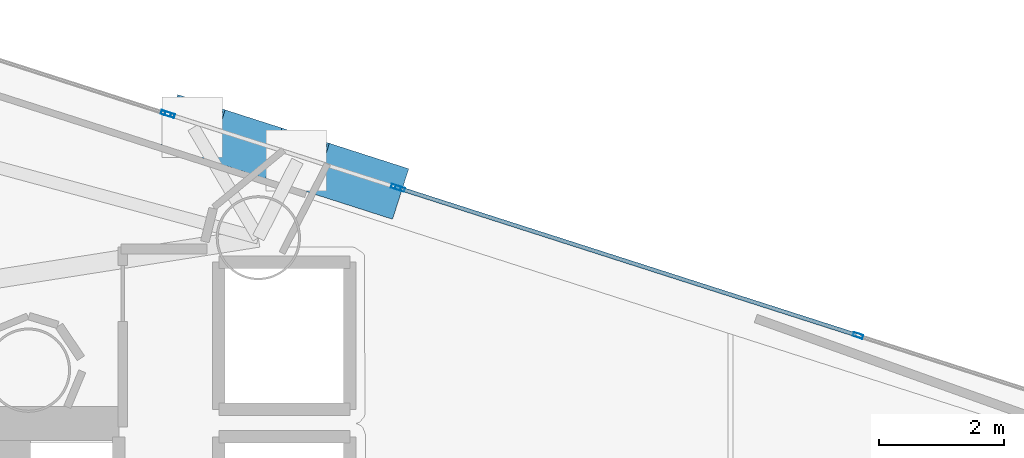
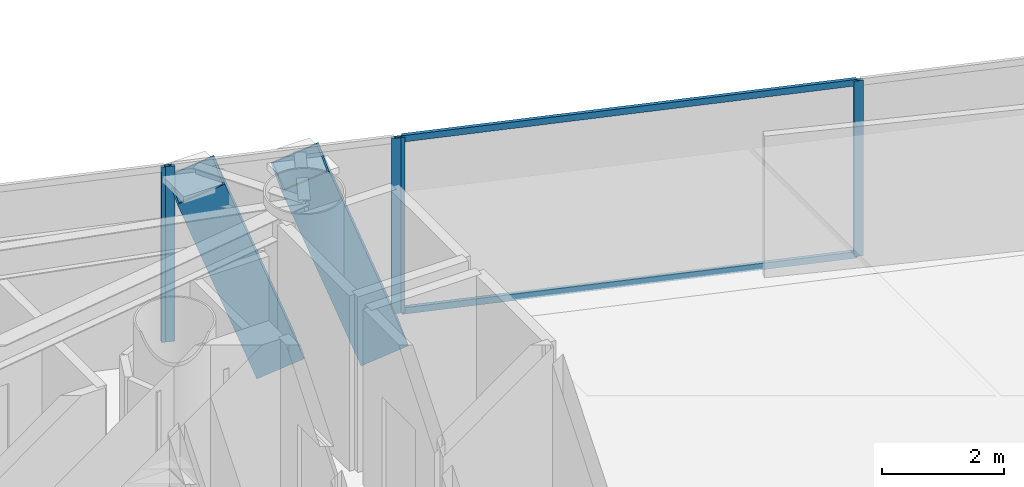
# One storey, part 14 of 22: 9 members, 3 elements without a shape of their own.
"""IFC4 building model written with IfcOpenShell, lengths in metres."""

from ifc_helpers import new_model, si_unit, direction, frame, origin, origin_2d, place, context, subcontext, project, spatial, hollow_rectangle, extrude, material, layer, layer_set, material_profile, profile_set, type_object, element, aggregate, save


model = new_model("IFC4")

# Units and contexts
model_context = context("Model", 3, precision=1e-05, world=origin(), true_north=direction((0.0, 1.0)))
body_context = subcontext(model_context, "Body", "Model", "MODEL_VIEW")
ifc_project = project(units=[si_unit("LENGTHUNIT", "METRE"), si_unit("AREAUNIT", "SQUARE_METRE"), si_unit("VOLUMEUNIT", "CUBIC_METRE"), si_unit("PLANEANGLEUNIT", "RADIAN"), si_unit("MASSUNIT", "GRAM", prefix="KILO")], contexts=[model_context])

# Site, building, storey
site_placement = place(None, origin())
site = spatial("IfcSite", under=ifc_project, at=site_placement, CompositionType="ELEMENT")
building_placement = place(site_placement, origin())
building = spatial("IfcBuilding", under=site, at=building_placement, Name="Qianvela Tower", CompositionType="ELEMENT")
storey_placement = place(building_placement, frame((0.0, 0.0, 173.5)))
storey = spatial("IfcBuildingStorey", under=building, at=storey_placement, Name="L44", CompositionType="ELEMENT", Elevation=173.5)

# Curtain wall, members
ifc_material_1 = material(Name="Anodised Architectural Aluminium and Insulated Spandrel Panel", Category="aluminium")
ifc_layer_1 = layer(ifc_material_1, 0.179931640625)
ifc_layer_set_1 = layer_set([ifc_layer_1], Name="Anodised Architectural Aluminium and Insulated Spandrel Panel")
curtain_wall_type_1 = type_object("IfcCurtainWallType", Name="CW-BRACEBAY", PredefinedType="USERDEFINED", material=ifc_layer_set_1)
curtain_wall_1_placement = place(storey_placement, origin())
curtain_wall_1 = element("IfcCurtainWall", 1, at=curtain_wall_1_placement, inside=storey, type_object=curtain_wall_type_1, Name="L44 CW-BRACEBAY Curtain Wall 02B", ObjectType="CURTAIN_WALL_SYSTEM", PredefinedType="USERDEFINED")
ifc_material_2 = material(Name="Anodised Architectural Aluminium 6063-T6", Category="aluminium")
ifc_material_profile_1 = material_profile(ifc_material_2, hollow_rectangle(XDim=0.06494140625, YDim=0.159912109375, WallThickness=0.0048828125, at=origin_2d()), Name="ALU-MULL-65x160")
ifc_profile_set_1 = profile_set([ifc_material_profile_1], Name="Anodised Architectural Aluminium 6063-T6")
member_type_1 = type_object("IfcMemberType", Name="CW-BRACEBAY-MULL", PredefinedType="MULLION", material=ifc_profile_set_1)
member_1_placement = place(storey_placement, frame((44.28759765625, 36.478759765625, 0.0), z_axis=(0.0, 0.0, 1.0), x_axis=(-0.305580061272, -0.95216638575, 0.0)))
member_1 = element("IfcMember", 2, at=member_1_placement, type_object=member_type_1, Name="CW-9 mullion 1", PredefinedType="MULLION", context=body_context, shape_type="SweptSolid", body=[
    extrude(hollow_rectangle(XDim=0.06494140625, YDim=0.159912109375, WallThickness=0.0048828125, at=origin_2d()), origin(), (0.0, 0.0, 1.0), 3.52001953125),
])
member_2_placement = place(storey_placement, frame((40.66455078125, 37.641357421875, 0.0), z_axis=(0.0, 0.0, 1.0), x_axis=(-0.305580061272, -0.95216638575, 0.0)))
member_2 = element("IfcMember", 3, at=member_2_placement, type_object=member_type_1, Name="CW-9 mullion 2", PredefinedType="MULLION", context=body_context, shape_type="SweptSolid", body=[
    extrude(hollow_rectangle(XDim=0.06494140625, YDim=0.159912109375, WallThickness=0.0048828125, at=origin_2d()), origin(), (0.0, 0.0, 1.0), 3.52001953125),
])
aggregate(curtain_wall_1, [member_1, member_2])

ifc_material_3 = material(Name="Anodised Architectural Aluminium and Low-E Glass", Category="aluminium")
ifc_layer_2 = layer(ifc_material_3, 0.169921875)
ifc_layer_set_2 = layer_set([ifc_layer_2], Name="Anodised Architectural Aluminium and Low-E Glass")
curtain_wall_type_2 = type_object("IfcCurtainWallType", Name="CW-COLIV-Z34", PredefinedType="USERDEFINED", material=ifc_layer_set_2)
curtain_wall_2_placement = place(storey_placement, origin())
curtain_wall_2 = element("IfcCurtainWall", 4, at=curtain_wall_2_placement, inside=storey, type_object=curtain_wall_type_2, Name="L44 CW-COLIV-Z34 Curtain Wall 02A", ObjectType="CURTAIN_WALL_SYSTEM", PredefinedType="USERDEFINED")
ifc_material_4 = material(Name="Anodised Architectural Aluminium 6063-T6", Category="aluminium")
ifc_material_profile_2 = material_profile(ifc_material_4, hollow_rectangle(XDim=0.06494140625, YDim=0.159912109375, WallThickness=0.0048828125, at=origin_2d()), Name="ALU-MULL-65x160")
ifc_profile_set_2 = profile_set([ifc_material_profile_2], Name="Anodised Architectural Aluminium 6063-T6")
member_type_2 = type_object("IfcMemberType", Name="CW-COLIV-Z34-MULL", PredefinedType="MULLION", material=ifc_profile_set_2)
member_3_placement = place(storey_placement, frame((51.688232421875, 34.103759765625, 0.0), z_axis=(0.0, 0.0, 1.0), x_axis=(-0.305576084145, -0.952167662126, 0.0)))
member_3 = element("IfcMember", 5, at=member_3_placement, type_object=member_type_2, Name="CW-4 mullion 2", PredefinedType="MULLION", context=body_context, shape_type="SweptSolid", body=[
    extrude(hollow_rectangle(XDim=0.06494140625, YDim=0.159912109375, WallThickness=0.0048828125, at=origin_2d()), origin(), (0.0, 0.0, 1.0), 3.52001953125),
])
member_4_placement = place(storey_placement, frame((44.349609375, 36.458984375, 0.0), z_axis=(0.0, 0.0, 1.0), x_axis=(-0.305576084145, -0.952167662126, 0.0)))
member_4 = element("IfcMember", 6, at=member_4_placement, type_object=member_type_2, Name="CW-4 mullion 3", PredefinedType="MULLION", context=body_context, shape_type="SweptSolid", body=[
    extrude(hollow_rectangle(XDim=0.06494140625, YDim=0.159912109375, WallThickness=0.0048828125, at=origin_2d()), origin(), (0.0, 0.0, 1.0), 3.52001953125),
])

# Curtain wall, member
curtain_wall_3_placement = place(storey_placement, origin())
curtain_wall_3 = element("IfcCurtainWall", 7, at=curtain_wall_3_placement, inside=storey, type_object=curtain_wall_type_2, Name="L44 CW-COLIV-Z34 Curtain Wall 02C", ObjectType="CURTAIN_WALL_SYSTEM", PredefinedType="USERDEFINED")
member_5_placement = place(storey_placement, frame((40.602783203125, 37.661376953125, 0.0), z_axis=(0.0, 0.0, 1.0), x_axis=(-0.305578960999, -0.952166738862, 0.0)))
member_5 = element("IfcMember", 8, at=member_5_placement, type_object=member_type_2, Name="CW-4 mullion 1", PredefinedType="MULLION", context=body_context, shape_type="SweptSolid", body=[
    extrude(hollow_rectangle(XDim=0.06494140625, YDim=0.159912109375, WallThickness=0.0048828125, at=origin_2d()), origin(), (0.0, 0.0, 1.0), 3.52001953125),
])
aggregate(curtain_wall_3, [member_5])

# Member
ifc_material_5 = material(Name="Anodised Architectural Aluminium 6063-T6", Category="aluminium")
ifc_material_profile_3 = material_profile(ifc_material_5, hollow_rectangle(XDim=0.06494140625, YDim=0.1298828125, WallThickness=0.00439453125, at=origin_2d()), Name="ALU-TRAN-65x130")
ifc_profile_set_3 = profile_set([ifc_material_profile_3], Name="Anodised Architectural Aluminium 6063-T6")
member_type_3 = type_object("IfcMemberType", Name="CW-COLIV-Z34-TRAN", PredefinedType="USERDEFINED", material=ifc_profile_set_3)
member_6_placement = place(storey_placement, frame((51.657470703125, 34.113525390625, 0.032470703125), z_axis=(-0.952166397857, 0.305580023548, 0.0), x_axis=(-0.305580023548, -0.952166397857, 0.0)))
member_6 = element("IfcMember", 9, at=member_6_placement, type_object=member_type_3, Name="CW-4 transom 2.1", ObjectType="TRANSOM", PredefinedType="USERDEFINED", context=body_context, shape_type="SweptSolid", body=[
    extrude(hollow_rectangle(XDim=0.06494140625, YDim=0.1298828125, WallThickness=0.00439453125, at=origin_2d()), origin(), (0.0, 0.0, 1.0), 7.642578125),
])

member_7_placement = place(storey_placement, frame((51.657470703125, 34.113525390625, 3.487548828125), z_axis=(-0.952166397857, 0.305580023548, 0.0), x_axis=(-0.305580023548, -0.952166397857, 0.0)))
member_7 = element("IfcMember", 10, at=member_7_placement, type_object=member_type_3, Name="CW-4 transom 2.2", ObjectType="TRANSOM", PredefinedType="USERDEFINED", context=body_context, shape_type="SweptSolid", body=[
    extrude(hollow_rectangle(XDim=0.06494140625, YDim=0.1298828125, WallThickness=0.00439453125, at=origin_2d()), origin(), (0.0, 0.0, 1.0), 7.642578125),
])

aggregate(curtain_wall_2, [member_3, member_4, member_6, member_7])

# Members
ifc_material_6 = material(Name="Steel Q420GJC", Category="steel")
ifc_material_profile_4 = material_profile(ifc_material_6, hollow_rectangle(XDim=0.85009765625, YDim=0.85009765625, WallThickness=0.031982421875, at=origin_2d()), Name="MBOX-850x850x32")
ifc_profile_set_4 = profile_set([ifc_material_profile_4], Name="Steel Q420GJC")
member_type_4 = type_object("IfcMemberType", Name="MBR-MBRACE-850", PredefinedType="BRACE", material=ifc_profile_set_4)
member_8_placement = place(storey_placement, frame((43.981201171875, 36.4931640625, -0.48193359375), z_axis=(-0.323297285158, 0.103710839604, 0.94059711203), x_axis=(-0.305458827277, -0.95220528503, 0.0)))
element("IfcMember", 11, at=member_8_placement, inside=storey, type_object=member_type_4, Name="L44 Tier 7 Exterior Mega-Brace F1A", PredefinedType="BRACE", context=body_context, shape_type="SweptSolid", body=[
    extrude(hollow_rectangle(XDim=0.85009765625, YDim=0.85009765625, WallThickness=0.031982421875, at=origin_2d()), origin(), (0.0, 0.0, 1.0), 3.93359375),
])
member_9_placement = place(storey_placement, frame((42.312744140625, 37.028564453125, -0.48193359375), z_axis=(-0.323350779615, 0.103770154226, 0.940572181395), x_axis=(-0.305571373987, -0.952169173729, 0.0)))
element("IfcMember", 12, at=member_9_placement, inside=storey, type_object=member_type_4, Name="L44 Tier 7 Exterior Mega-Brace F1B", PredefinedType="BRACE", context=body_context, shape_type="SweptSolid", body=[
    extrude(hollow_rectangle(XDim=0.85009765625, YDim=0.85009765625, WallThickness=0.031982421875, at=origin_2d()), origin(), (0.0, 0.0, 1.0), 3.933837890625),
])

save(model, "model.ifc")
